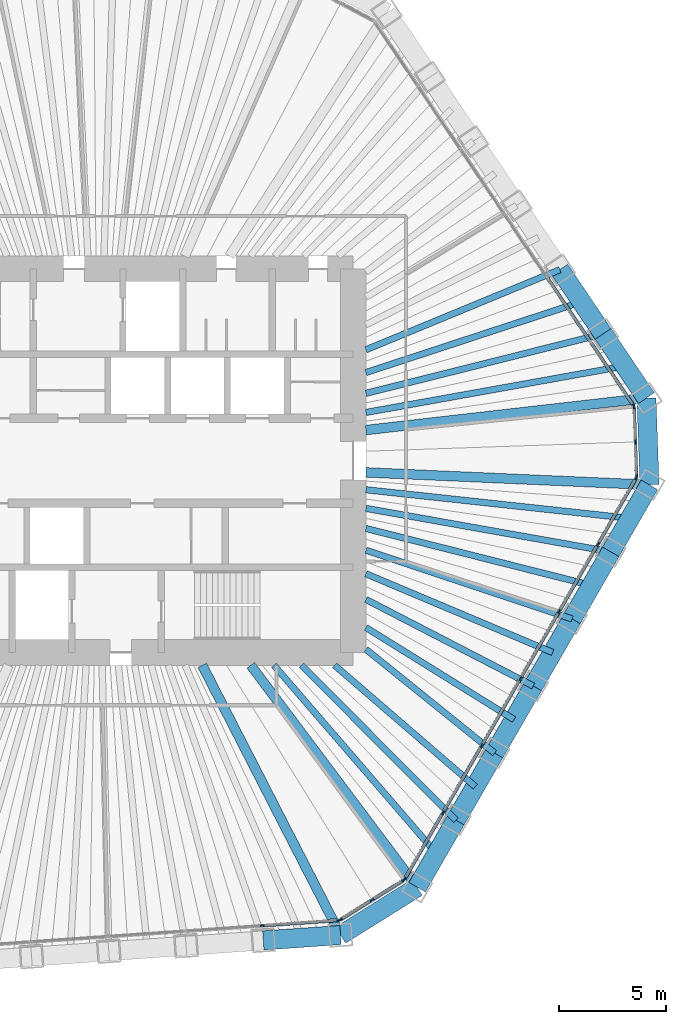
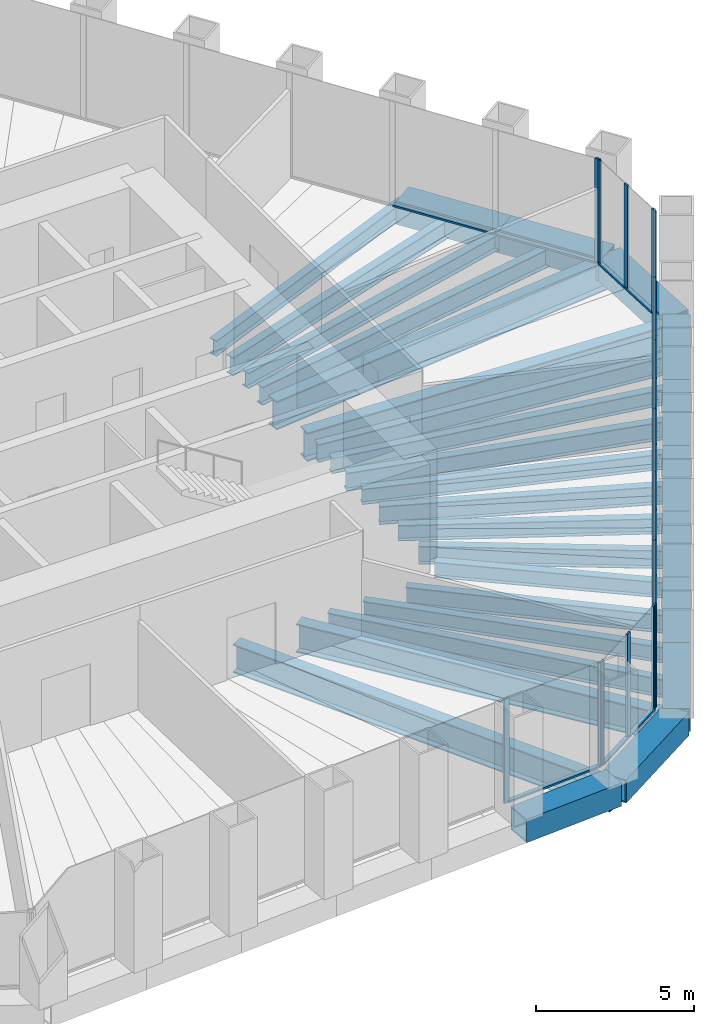
# One storey, part 4 of 14: 30 beams, 29 members, 5 elements without a shape of their own.
"""IFC4 building model written with IfcOpenShell, lengths in metres."""

from ifc_helpers import new_model, si_unit, direction, frame, origin, origin_2d, place, context, subcontext, project, spatial, rectangle, hollow_rectangle, i_section, extrude, material, material_profile, profile_set, type_object, element, aggregate, save


model = new_model("IFC4")

# Units and contexts
model_context = context("Model", 3, precision=1e-05, world=origin(), true_north=direction((0.0, 1.0)))
body_context = subcontext(model_context, "Body", "Model", "MODEL_VIEW")
ifc_project = project(units=[si_unit("LENGTHUNIT", "METRE"), si_unit("AREAUNIT", "SQUARE_METRE"), si_unit("VOLUMEUNIT", "CUBIC_METRE"), si_unit("PLANEANGLEUNIT", "RADIAN"), si_unit("MASSUNIT", "GRAM", prefix="KILO")], contexts=[model_context])

# Site, building, storey
site_placement = place(None, origin())
site = spatial("IfcSite", under=ifc_project, at=site_placement, CompositionType="ELEMENT")
building_placement = place(site_placement, origin())
building = spatial("IfcBuilding", under=site, at=building_placement, Name="Qingtian Harvest Tower", CompositionType="ELEMENT")
storey_placement = place(building_placement, frame((0.0, 0.0, 201.39990234375)))
storey = spatial("IfcBuildingStorey", under=building, at=storey_placement, Name="L43", CompositionType="ELEMENT", Elevation=201.39990234375)

# Beams
ifc_material_1 = material(Name="Steel SM570MC", Category="steel")
ifc_material_profile_1 = material_profile(ifc_material_1, i_section(OverallWidth=0.449951171875, OverallDepth=1.10009765625, WebThickness=0.02197265625, FlangeThickness=0.044921875, at=origin_2d()), Name="H1100x450x22x45")
ifc_profile_set_1 = profile_set([ifc_material_profile_1], Name="Steel SM570MC")
beam_type_1 = type_object("IfcBeamType", Name="Corner floor beam FB8 H1100x450x22x45", PredefinedType="BEAM", material=ifc_profile_set_1)
beam_1_placement = place(storey_placement, frame((25.762451171875, 2.936279296875, -0.719970703125), z_axis=(-0.993566901619, -0.113246686522, 0.0), x_axis=(0.113246686522, -0.993566901619, 0.0)))
element("IfcBeam", 1, at=beam_1_placement, inside=storey, type_object=beam_type_1, Name="Floor beam FB8 NE6", PredefinedType="BEAM", context=body_context, shape_type="SweptSolid", body=[
    extrude(i_section(OverallWidth=0.449951171875, OverallDepth=1.10009765625, WebThickness=0.02197265625, FlangeThickness=0.044921875, at=origin_2d()), origin(), (0.0, 0.0, 1.0), 13.24755859375),
])
beam_2_placement = place(storey_placement, frame((25.904541015625, -1.1318359375, -0.719970703125), z_axis=(-0.999046865424, 0.043650437408, 0.0), x_axis=(-0.043650437408, -0.999046865424, 0.0)))
element("IfcBeam", 2, at=beam_2_placement, inside=storey, type_object=beam_type_1, Name="Floor beam FB8 SE0", PredefinedType="BEAM", context=body_context, shape_type="SweptSolid", body=[
    extrude(i_section(OverallWidth=0.449951171875, OverallDepth=1.10009765625, WebThickness=0.02197265625, FlangeThickness=0.044921875, at=origin_2d()), origin(), (0.0, 0.0, 1.0), 13.317138671875),
])
beam_3_placement = place(storey_placement, frame((15.00390625, -20.012451171875, -0.719970703125), z_axis=(-0.599858913609, 0.800105795357, 0.0), x_axis=(-0.800105795357, -0.599858913609, 0.0)))
element("IfcBeam", 3, at=beam_3_placement, inside=storey, type_object=beam_type_1, Name="Floor beam FB8 SE6", PredefinedType="BEAM", context=body_context, shape_type="SweptSolid", body=[
    extrude(i_section(OverallWidth=0.449951171875, OverallDepth=1.10009765625, WebThickness=0.02197265625, FlangeThickness=0.044921875, at=origin_2d()), origin(), (0.0, 0.0, 1.0), 13.013671875),
])
beam_4_placement = place(storey_placement, frame((11.40966796875, -22.25830078125, -0.719970703125), z_axis=(-0.456157396608, 0.889899111989, 0.0), x_axis=(-0.889899111989, -0.456157396608, 0.0)))
element("IfcBeam", 4, at=beam_4_placement, inside=storey, type_object=beam_type_1, Name="Floor beam FB8 S0", PredefinedType="BEAM", context=body_context, shape_type="SweptSolid", body=[
    extrude(i_section(OverallWidth=0.449951171875, OverallDepth=1.10009765625, WebThickness=0.02197265625, FlangeThickness=0.044921875, at=origin_2d()), origin(), (0.0, 0.0, 1.0), 14.224365234375),
])
ifc_material_2 = material(Name="Steel SN490B", Category="steel")
ifc_material_profile_2 = material_profile(ifc_material_2, i_section(OverallWidth=0.300048828125, OverallDepth=0.60009765625, WebThickness=0.011962890625, FlangeThickness=0.02001953125, at=origin_2d()), Name="H600x300x12x20")
ifc_profile_set_2 = profile_set([ifc_material_profile_2], Name="Steel SN490B")
beam_type_2 = type_object("IfcBeamType", Name="Floor beam FB3 H600x300x12x20", PredefinedType="BEAM", material=ifc_profile_set_2)
beam_5_placement = place(storey_placement, frame((21.69873046875, 8.9609375, -0.469970703125), z_axis=(-0.924281590361, -0.381711332973, 0.0), x_axis=(0.381711332973, -0.924281590361, 0.0)))
element("IfcBeam", 5, at=beam_5_placement, inside=storey, type_object=beam_type_2, Name="Floor beam FB3 NE4", PredefinedType="BEAM", context=body_context, shape_type="SweptSolid", body=[
    extrude(i_section(OverallWidth=0.300048828125, OverallDepth=0.60009765625, WebThickness=0.011962890625, FlangeThickness=0.02001953125, at=origin_2d()), origin(), (0.0, 0.0, 1.0), 9.843994140625),
])
beam_6_placement = place(storey_placement, frame((23.730712890625, 5.948486328125, -0.469970703125), z_axis=(-0.969990876487, -0.243141315972, 0.0), x_axis=(0.243141315972, -0.969990876487, 0.0)))
element("IfcBeam", 6, at=beam_6_placement, inside=storey, type_object=beam_type_2, Name="Floor beam FB3 NE5", PredefinedType="BEAM", context=body_context, shape_type="SweptSolid", body=[
    extrude(i_section(OverallWidth=0.300048828125, OverallDepth=0.60009765625, WebThickness=0.011962890625, FlangeThickness=0.02001953125, at=origin_2d()), origin(), (0.0, 0.0, 1.0), 11.474853515625),
])
beam_7_placement = place(storey_placement, frame((24.087890625, -4.27880859375, -0.469970703125), z_axis=(-0.98458469654, 0.174908477034, 0.0), x_axis=(-0.174908477034, -0.98458469654, 0.0)))
element("IfcBeam", 7, at=beam_7_placement, inside=storey, type_object=beam_type_2, Name="Floor beam FB3 SE1", PredefinedType="BEAM", context=body_context, shape_type="SweptSolid", body=[
    extrude(i_section(OverallWidth=0.300048828125, OverallDepth=0.60009765625, WebThickness=0.011962890625, FlangeThickness=0.02001953125, at=origin_2d()), origin(), (0.0, 0.0, 1.0), 11.667724609375),
])
beam_8_placement = place(storey_placement, frame((22.27099609375, -7.425537109375, -0.469970703125), z_axis=(-0.948654555734, 0.316313979908, 0.0), x_axis=(-0.316313979908, -0.948654555734, 0.0)))
element("IfcBeam", 8, at=beam_8_placement, inside=storey, type_object=beam_type_2, Name="Floor beam FB3 SE2", PredefinedType="BEAM", context=body_context, shape_type="SweptSolid", body=[
    extrude(i_section(OverallWidth=0.300048828125, OverallDepth=0.60009765625, WebThickness=0.011962890625, FlangeThickness=0.02001953125, at=origin_2d()), origin(), (0.0, 0.0, 1.0), 10.1943359375),
])
beam_9_placement = place(storey_placement, frame((20.454345703125, -10.572265625, -0.469970703125), z_axis=(-0.888343501027, 0.459179511938, 0.0), x_axis=(-0.459179511938, -0.888343501027, 0.0)))
element("IfcBeam", 9, at=beam_9_placement, inside=storey, type_object=beam_type_2, Name="Floor beam FB3 SE3", PredefinedType="BEAM", context=body_context, shape_type="SweptSolid", body=[
    extrude(i_section(OverallWidth=0.300048828125, OverallDepth=0.60009765625, WebThickness=0.011962890625, FlangeThickness=0.02001953125, at=origin_2d()), origin(), (0.0, 0.0, 1.0), 8.841552734375),
])
beam_10_placement = place(storey_placement, frame((18.637451171875, -13.718994140625, -0.469970703125), z_axis=(-0.77840907003, 0.62775737327, 0.0), x_axis=(-0.62775737327, -0.77840907003, 0.0)))
element("IfcBeam", 10, at=beam_10_placement, inside=storey, type_object=beam_type_2, Name="Floor beam FB3 SE4", PredefinedType="BEAM", context=body_context, shape_type="SweptSolid", body=[
    extrude(i_section(OverallWidth=0.300048828125, OverallDepth=0.60009765625, WebThickness=0.011962890625, FlangeThickness=0.02001953125, at=origin_2d()), origin(), (0.0, 0.0, 1.0), 7.756103515625),
])
beam_11_placement = place(storey_placement, frame((16.82080078125, -16.86572265625, -0.469970703125), z_axis=(-0.70616637797, 0.708045935392, 0.0), x_axis=(-0.708045935392, -0.70616637797, 0.0)))
element("IfcBeam", 11, at=beam_11_placement, inside=storey, type_object=beam_type_2, Name="Floor beam FB3 SE5", PredefinedType="BEAM", context=body_context, shape_type="SweptSolid", body=[
    extrude(i_section(OverallWidth=0.300048828125, OverallDepth=0.60009765625, WebThickness=0.011962890625, FlangeThickness=0.02001953125, at=origin_2d()), origin(), (0.0, 0.0, 1.0), 10.261474609375),
])
ifc_material_3 = material(Name="Steel SN490B", Category="steel")
ifc_material_profile_3 = material_profile(ifc_material_3, i_section(OverallWidth=0.300048828125, OverallDepth=0.699951171875, WebThickness=0.012939453125, FlangeThickness=0.02392578125, at=origin_2d()), Name="H700x300x13x24")
ifc_profile_set_3 = profile_set([ifc_material_profile_3], Name="Steel SN490B")
beam_type_3 = type_object("IfcBeamType", Name="Floor joist J2 H700x300x13x24", PredefinedType="JOIST", material=ifc_profile_set_3)
beam_12_placement = place(storey_placement, frame((22.71484375, 7.454833984375, -0.52001953125), z_axis=(-0.950138567513, -0.311828001508, 0.0), x_axis=(0.311828001508, -0.950138567513, 0.0)))
element("IfcBeam", 12, at=beam_12_placement, inside=storey, type_object=beam_type_3, Name="Floor joist J2 NE4", PredefinedType="JOIST", context=body_context, shape_type="SweptSolid", body=[
    extrude(i_section(OverallWidth=0.300048828125, OverallDepth=0.699951171875, WebThickness=0.012939453125, FlangeThickness=0.02392578125, at=origin_2d()), origin(), (0.0, 0.0, 1.0), 10.6455078125),
])
beam_13_placement = place(storey_placement, frame((24.74658203125, 4.4423828125, -0.52001953125), z_axis=(-0.98426723745, -0.176686177393, 0.0), x_axis=(0.176686177393, -0.98426723745, 0.0)))
element("IfcBeam", 13, at=beam_13_placement, inside=storey, type_object=beam_type_3, Name="Floor joist J2 NE5", PredefinedType="JOIST", context=body_context, shape_type="SweptSolid", body=[
    extrude(i_section(OverallWidth=0.300048828125, OverallDepth=0.699951171875, WebThickness=0.012939453125, FlangeThickness=0.02392578125, at=origin_2d()), origin(), (0.0, 0.0, 1.0), 12.340576171875),
])
beam_14_placement = place(storey_placement, frame((24.99609375, -2.705322265625, -0.52001953125), z_axis=(-0.994194656298, 0.107596400448, 0.0), x_axis=(-0.107596400448, -0.994194656298, 0.0)))
element("IfcBeam", 14, at=beam_14_placement, inside=storey, type_object=beam_type_3, Name="Floor joist J2 SE0", PredefinedType="JOIST", context=body_context, shape_type="SweptSolid", body=[
    extrude(i_section(OverallWidth=0.300048828125, OverallDepth=0.699951171875, WebThickness=0.012939453125, FlangeThickness=0.02392578125, at=origin_2d()), origin(), (0.0, 0.0, 1.0), 12.46826171875),
])
beam_15_placement = place(storey_placement, frame((23.179443359375, -5.85205078125, -0.52001953125), z_axis=(-0.969577887027, 0.244783007963, 0.0), x_axis=(-0.244783007963, -0.969577887027, 0.0)))
element("IfcBeam", 15, at=beam_15_placement, inside=storey, type_object=beam_type_3, Name="Floor joist J2 SE1", PredefinedType="JOIST", context=body_context, shape_type="SweptSolid", body=[
    extrude(i_section(OverallWidth=0.300048828125, OverallDepth=0.699951171875, WebThickness=0.012939453125, FlangeThickness=0.02392578125, at=origin_2d()), origin(), (0.0, 0.0, 1.0), 10.911376953125),
])
beam_16_placement = place(storey_placement, frame((21.362548828125, -8.998779296875, -0.52001953125), z_axis=(-0.921571079516, 0.388209666803, 0.0), x_axis=(-0.388209666803, -0.921571079516, 0.0)))
element("IfcBeam", 16, at=beam_16_placement, inside=storey, type_object=beam_type_3, Name="Floor joist J2 SE2", PredefinedType="JOIST", context=body_context, shape_type="SweptSolid", body=[
    extrude(i_section(OverallWidth=0.300048828125, OverallDepth=0.699951171875, WebThickness=0.012939453125, FlangeThickness=0.02392578125, at=origin_2d()), origin(), (0.0, 0.0, 1.0), 9.508056640625),
])
beam_17_placement = place(storey_placement, frame((19.5458984375, -12.1455078125, -0.52001953125), z_axis=(-0.849380822906, 0.527780463526, 0.0), x_axis=(-0.527780463526, -0.849380822906, 0.0)))
element("IfcBeam", 17, at=beam_17_placement, inside=storey, type_object=beam_type_3, Name="Floor joist J2 SE3", PredefinedType="JOIST", context=body_context, shape_type="SweptSolid", body=[
    extrude(i_section(OverallWidth=0.300048828125, OverallDepth=0.699951171875, WebThickness=0.012939453125, FlangeThickness=0.02392578125, at=origin_2d()), origin(), (0.0, 0.0, 1.0), 8.177490234375),
])
beam_18_placement = place(storey_placement, frame((17.72900390625, -15.292236328125, -0.52001953125), z_axis=(-0.757237954988, 0.653139096613, 0.0), x_axis=(-0.653139096613, -0.757237954988, 0.0)))
element("IfcBeam", 18, at=beam_18_placement, inside=storey, type_object=beam_type_3, Name="Floor joist J2 SE4", PredefinedType="JOIST", context=body_context, shape_type="SweptSolid", body=[
    extrude(i_section(OverallWidth=0.300048828125, OverallDepth=0.699951171875, WebThickness=0.012939453125, FlangeThickness=0.02392578125, at=origin_2d()), origin(), (0.0, 0.0, 1.0), 8.715087890625),
])
beam_19_placement = place(storey_placement, frame((15.912353515625, -18.43896484375, -0.52001953125), z_axis=(-0.653343257086, 0.757061812813, 0.0), x_axis=(-0.757061812813, -0.653343257086, 0.0)))
element("IfcBeam", 19, at=beam_19_placement, inside=storey, type_object=beam_type_3, Name="Floor joist J2 SE5", PredefinedType="JOIST", context=body_context, shape_type="SweptSolid", body=[
    extrude(i_section(OverallWidth=0.300048828125, OverallDepth=0.699951171875, WebThickness=0.012939453125, FlangeThickness=0.02392578125, at=origin_2d()), origin(), (0.0, 0.0, 1.0), 11.67529296875),
])

# Curtain wall, member
ifc_material_4 = material(Name="Bronze-anodised aluminium curtain wall", Category="aluminium")
curtain_wall_type = type_object("IfcCurtainWallType", Name="Curtain wall CW4 office", PredefinedType="USERDEFINED", material=ifc_material_4)
curtain_wall_1_placement = place(storey_placement, origin())
curtain_wall_1 = element("IfcCurtainWall", 20, at=curtain_wall_1_placement, inside=storey, type_object=curtain_wall_type, Name="Curtain wall CW4 L43 NE0-5", ObjectType="RECESSED CURTAIN WALL", PredefinedType="USERDEFINED")
ifc_material_5 = material(Name="Bronze-anodised aluminium mullion", Category="aluminium")
ifc_material_profile_4 = material_profile(ifc_material_5, rectangle(XDim=0.06494140625, YDim=0.199951171875, at=origin_2d()), Name="AL 65x200")
ifc_profile_set_4 = profile_set([ifc_material_profile_4], Name="Bronze-anodised aluminium mullion")
member_type_1 = type_object("IfcMemberType", Name="Mullion CWM 65x200", PredefinedType="MULLION", material=ifc_profile_set_4)
member_1_placement = place(storey_placement, frame((25.1640625, 2.57177734375, 0.0), z_axis=(0.0, 0.0, 1.0), x_axis=(0.829037572555, 0.559192903471, 0.0)))
member_1 = element("IfcMember", 21, at=member_1_placement, type_object=member_type_1, Name="CW4 mullion 7", PredefinedType="MULLION", context=body_context, shape_type="SweptSolid", body=[
    extrude(rectangle(XDim=0.06494140625, YDim=0.199951171875, at=origin_2d()), origin(), (0.0, 0.0, 1.0), 4.030029296875),
])

# Curtain wall, members
curtain_wall_2_placement = place(storey_placement, origin())
curtain_wall_2 = element("IfcCurtainWall", 22, at=curtain_wall_2_placement, inside=storey, type_object=curtain_wall_type, Name="Curtain wall CW4 L43 NEC", ObjectType="RECESSED CURTAIN WALL", PredefinedType="USERDEFINED")
member_2_placement = place(storey_placement, frame((25.183349609375, 2.51220703125, 0.0), z_axis=(0.0, 0.0, 1.0), x_axis=(0.999390827019, 0.034899496703, 0.0)))
member_2 = element("IfcMember", 23, at=member_2_placement, type_object=member_type_1, Name="CW4 mullion 1", PredefinedType="MULLION", context=body_context, shape_type="SweptSolid", body=[
    extrude(rectangle(XDim=0.06494140625, YDim=0.199951171875, at=origin_2d()), origin(), (0.0, 0.0, 1.0), 4.030029296875),
])
member_3_placement = place(storey_placement, frame((25.240234375, 0.88134765625, 0.0), z_axis=(0.0, 0.0, 1.0), x_axis=(0.999390827019, 0.034899496703, 0.0)))
member_3 = element("IfcMember", 24, at=member_3_placement, type_object=member_type_1, Name="CW4 mullion 2", PredefinedType="MULLION", context=body_context, shape_type="SweptSolid", body=[
    extrude(rectangle(XDim=0.06494140625, YDim=0.199951171875, at=origin_2d()), origin(), (0.0, 0.0, 1.0), 4.030029296875),
])
member_4_placement = place(storey_placement, frame((25.297119140625, -0.74951171875, 0.0), z_axis=(0.0, 0.0, 1.0), x_axis=(0.999390827019, 0.034899496703, 0.0)))
member_4 = element("IfcMember", 25, at=member_4_placement, type_object=member_type_1, Name="CW4 mullion 3", PredefinedType="MULLION", context=body_context, shape_type="SweptSolid", body=[
    extrude(rectangle(XDim=0.06494140625, YDim=0.199951171875, at=origin_2d()), origin(), (0.0, 0.0, 1.0), 4.030029296875),
])

curtain_wall_3_placement = place(storey_placement, origin())
curtain_wall_3 = element("IfcCurtainWall", 26, at=curtain_wall_3_placement, inside=storey, type_object=curtain_wall_type, Name="Curtain wall CW4 L43 SE0-5", ObjectType="RECESSED CURTAIN WALL", PredefinedType="USERDEFINED")
member_5_placement = place(storey_placement, frame((25.2822265625, -0.81005859375, 0.0), z_axis=(0.0, 0.0, 1.0), x_axis=(0.866025403784, -0.5, 0.0)))
member_5 = element("IfcMember", 27, at=member_5_placement, type_object=member_type_1, Name="CW4 mullion 1", PredefinedType="MULLION", context=body_context, shape_type="SweptSolid", body=[
    extrude(rectangle(XDim=0.06494140625, YDim=0.199951171875, at=origin_2d()), origin(), (0.0, 0.0, 1.0), 4.030029296875),
])
member_6_placement = place(storey_placement, frame((23.481689453125, -3.9287109375, 0.0), z_axis=(0.0, 0.0, 1.0), x_axis=(0.866025403784, -0.5, 0.0)))
member_6 = element("IfcMember", 28, at=member_6_placement, type_object=member_type_1, Name="CW4 mullion 2", PredefinedType="MULLION", context=body_context, shape_type="SweptSolid", body=[
    extrude(rectangle(XDim=0.06494140625, YDim=0.199951171875, at=origin_2d()), origin(), (0.0, 0.0, 1.0), 4.030029296875),
])
member_7_placement = place(storey_placement, frame((21.664794921875, -7.075439453125, 0.0), z_axis=(0.0, 0.0, 1.0), x_axis=(0.866025403784, -0.5, 0.0)))
member_7 = element("IfcMember", 29, at=member_7_placement, type_object=member_type_1, Name="CW4 mullion 3", PredefinedType="MULLION", context=body_context, shape_type="SweptSolid", body=[
    extrude(rectangle(XDim=0.06494140625, YDim=0.199951171875, at=origin_2d()), origin(), (0.0, 0.0, 1.0), 4.030029296875),
])
member_8_placement = place(storey_placement, frame((19.84814453125, -10.22216796875, 0.0), z_axis=(0.0, 0.0, 1.0), x_axis=(0.866025403784, -0.5, 0.0)))
member_8 = element("IfcMember", 30, at=member_8_placement, type_object=member_type_1, Name="CW4 mullion 4", PredefinedType="MULLION", context=body_context, shape_type="SweptSolid", body=[
    extrude(rectangle(XDim=0.06494140625, YDim=0.199951171875, at=origin_2d()), origin(), (0.0, 0.0, 1.0), 4.030029296875),
])
member_9_placement = place(storey_placement, frame((18.03125, -13.368896484375, 0.0), z_axis=(0.0, 0.0, 1.0), x_axis=(0.866025403784, -0.5, 0.0)))
member_9 = element("IfcMember", 31, at=member_9_placement, type_object=member_type_1, Name="CW4 mullion 5", PredefinedType="MULLION", context=body_context, shape_type="SweptSolid", body=[
    extrude(rectangle(XDim=0.06494140625, YDim=0.199951171875, at=origin_2d()), origin(), (0.0, 0.0, 1.0), 4.030029296875),
])
member_10_placement = place(storey_placement, frame((16.214599609375, -16.515625, 0.0), z_axis=(0.0, 0.0, 1.0), x_axis=(0.866025403784, -0.5, 0.0)))
member_10 = element("IfcMember", 32, at=member_10_placement, type_object=member_type_1, Name="CW4 mullion 6", PredefinedType="MULLION", context=body_context, shape_type="SweptSolid", body=[
    extrude(rectangle(XDim=0.06494140625, YDim=0.199951171875, at=origin_2d()), origin(), (0.0, 0.0, 1.0), 4.030029296875),
])
member_11_placement = place(storey_placement, frame((14.4140625, -19.63427734375, 0.0), z_axis=(0.0, 0.0, 1.0), x_axis=(0.866025403784, -0.5, 0.0)))
member_11 = element("IfcMember", 33, at=member_11_placement, type_object=member_type_1, Name="CW4 mullion 7", PredefinedType="MULLION", context=body_context, shape_type="SweptSolid", body=[
    extrude(rectangle(XDim=0.06494140625, YDim=0.199951171875, at=origin_2d()), origin(), (0.0, 0.0, 1.0), 4.030029296875),
])

curtain_wall_4_placement = place(storey_placement, origin())
curtain_wall_4 = element("IfcCurtainWall", 34, at=curtain_wall_4_placement, inside=storey, type_object=curtain_wall_type, Name="Curtain wall CW4 L43 SEC", ObjectType="RECESSED CURTAIN WALL", PredefinedType="USERDEFINED")
member_12_placement = place(storey_placement, frame((14.3701171875, -19.6796875, 0.0), z_axis=(0.0, 0.0, 1.0), x_axis=(0.529919264233, -0.848048096156, 0.0)))
member_12 = element("IfcMember", 35, at=member_12_placement, type_object=member_type_1, Name="CW4 mullion 1", PredefinedType="MULLION", context=body_context, shape_type="SweptSolid", body=[
    extrude(rectangle(XDim=0.06494140625, YDim=0.199951171875, at=origin_2d()), origin(), (0.0, 0.0, 1.0), 4.030029296875),
])
member_13_placement = place(storey_placement, frame((12.87939453125, -20.611328125, 0.0), z_axis=(0.0, 0.0, 1.0), x_axis=(0.529919264233, -0.848048096156, 0.0)))
member_13 = element("IfcMember", 36, at=member_13_placement, type_object=member_type_1, Name="CW4 mullion 2", PredefinedType="MULLION", context=body_context, shape_type="SweptSolid", body=[
    extrude(rectangle(XDim=0.06494140625, YDim=0.199951171875, at=origin_2d()), origin(), (0.0, 0.0, 1.0), 4.030029296875),
])
member_14_placement = place(storey_placement, frame((11.388427734375, -21.542724609375, 0.0), z_axis=(0.0, 0.0, 1.0), x_axis=(0.529919264233, -0.848048096156, 0.0)))
member_14 = element("IfcMember", 37, at=member_14_placement, type_object=member_type_1, Name="CW4 mullion 3", PredefinedType="MULLION", context=body_context, shape_type="SweptSolid", body=[
    extrude(rectangle(XDim=0.06494140625, YDim=0.199951171875, at=origin_2d()), origin(), (0.0, 0.0, 1.0), 4.030029296875),
])

curtain_wall_5_placement = place(storey_placement, origin())
curtain_wall_5 = element("IfcCurtainWall", 38, at=curtain_wall_5_placement, inside=storey, type_object=curtain_wall_type, Name="Curtain wall CW4 L43 S0-5", ObjectType="RECESSED CURTAIN WALL", PredefinedType="USERDEFINED")
member_15_placement = place(storey_placement, frame((11.32861328125, -21.562255859375, 0.0), z_axis=(0.0, 0.0, 1.0), x_axis=(0.069756473744, -0.99756405026, 0.0)))
member_15 = element("IfcMember", 39, at=member_15_placement, type_object=member_type_1, Name="CW4 mullion 1", PredefinedType="MULLION", context=body_context, shape_type="SweptSolid", body=[
    extrude(rectangle(XDim=0.06494140625, YDim=0.199951171875, at=origin_2d()), origin(), (0.0, 0.0, 1.0), 4.030029296875),
])
member_16_placement = place(storey_placement, frame((7.736328125, -21.8134765625, 0.0), z_axis=(0.0, 0.0, 1.0), x_axis=(0.069756473744, -0.99756405026, 0.0)))
member_16 = element("IfcMember", 40, at=member_16_placement, type_object=member_type_1, Name="CW4 mullion 2", PredefinedType="MULLION", context=body_context, shape_type="SweptSolid", body=[
    extrude(rectangle(XDim=0.06494140625, YDim=0.199951171875, at=origin_2d()), origin(), (0.0, 0.0, 1.0), 4.030029296875),
])

# Beams
ifc_material_6 = material(Name="Steel SM570MC", Category="steel")
ifc_material_profile_5 = material_profile(ifc_material_6, hollow_rectangle(XDim=0.89990234375, YDim=0.89990234375, WallThickness=0.050048828125, at=origin_2d()), Name="BOX900x900x50")
ifc_profile_set_5 = profile_set([ifc_material_profile_5], Name="Steel SM570MC")
beam_type_4 = type_object("IfcBeamType", Name="Transition spandrel SB6 BOX900x900x50", PredefinedType="SPANDREL", material=ifc_profile_set_5)
beam_20_placement = place(storey_placement, frame((21.69873046875, 8.9609375, -0.449951171875), z_axis=(0.55920395902, -0.829030115385, 0.0), x_axis=(0.829030115385, 0.55920395902, 0.0)))
element("IfcBeam", 41, at=beam_20_placement, inside=storey, type_object=beam_type_4, Name="Spandrel SB6 NE4", PredefinedType="SPANDREL", context=body_context, shape_type="SweptSolid", body=[
    extrude(hollow_rectangle(XDim=0.89990234375, YDim=0.89990234375, WallThickness=0.050048828125, at=origin_2d()), origin(), (0.0, 0.0, 1.0), 3.6337890625),
])
beam_21_placement = place(storey_placement, frame((23.730712890625, 5.948486328125, -0.449951171875), z_axis=(0.559188928021, -0.829040254016, 0.0), x_axis=(0.829040254016, 0.559188928021, 0.0)))
element("IfcBeam", 42, at=beam_21_placement, inside=storey, type_object=beam_type_4, Name="Spandrel SB6 NE5", PredefinedType="SPANDREL", context=body_context, shape_type="SweptSolid", body=[
    extrude(hollow_rectangle(XDim=0.89990234375, YDim=0.89990234375, WallThickness=0.050048828125, at=origin_2d()), origin(), (0.0, 0.0, 1.0), 3.63330078125),
])
beam_22_placement = place(storey_placement, frame((25.762451171875, 2.936279296875, -0.449951171875), z_axis=(0.03490639867, -0.999390585973, 0.0), x_axis=(0.999390585973, 0.03490639867, 0.0)))
element("IfcBeam", 43, at=beam_22_placement, inside=storey, type_object=beam_type_4, Name="Spandrel SB6 NEC", PredefinedType="SPANDREL", context=body_context, shape_type="SweptSolid", body=[
    extrude(hollow_rectangle(XDim=0.89990234375, YDim=0.89990234375, WallThickness=0.050048828125, at=origin_2d()), origin(), (0.0, 0.0, 1.0), 4.070556640625),
])
beam_23_placement = place(storey_placement, frame((25.904541015625, -1.1318359375, -0.449951171875), z_axis=(-0.499947341849, -0.866055803848, 0.0), x_axis=(0.866055803848, -0.499947341849, 0.0)))
element("IfcBeam", 44, at=beam_23_placement, inside=storey, type_object=beam_type_4, Name="Spandrel SB6 SE0", PredefinedType="SPANDREL", context=body_context, shape_type="SweptSolid", body=[
    extrude(hollow_rectangle(XDim=0.89990234375, YDim=0.89990234375, WallThickness=0.050048828125, at=origin_2d()), origin(), (0.0, 0.0, 1.0), 3.6337890625),
])
for number, where, z_axis, x_axis, name in (
    (45, (24.087890625, -4.27880859375, -0.449951171875), (-0.500026827678, -0.866009914263, 0.0), (0.866009914263, -0.500026827678, 0.0), "Spandrel SB6 SE1"),
    (46, (22.27099609375, -7.425537109375, -0.449951171875), (-0.499976434558, -0.866039008871, 0.0), (0.866039008871, -0.499976434558, 0.0), "Spandrel SB6 SE2"),
    (47, (20.454345703125, -10.572265625, -0.449951171875), (-0.500026827678, -0.866009914263, 0.0), (0.866009914263, -0.500026827678, 0.0), "Spandrel SB6 SE3"),
    (48, (18.637451171875, -13.718994140625, -0.449951171875), (-0.499976434558, -0.866039008871, 0.0), (0.866039008871, -0.499976434558, 0.0), "Spandrel SB6 SE4"),
    (49, (16.82080078125, -16.86572265625, -0.449951171875), (-0.500026827678, -0.866009914263, 0.0), (0.866009914263, -0.500026827678, 0.0), "Spandrel SB6 SE5"),
):
    element("IfcBeam", number, at=place(storey_placement, frame(where, z_axis=z_axis, x_axis=x_axis)), inside=storey, type_object=beam_type_4, Name=name, PredefinedType="SPANDREL", context=body_context, shape_type="SweptSolid", body=[
        extrude(hollow_rectangle(XDim=0.89990234375, YDim=0.89990234375, WallThickness=0.050048828125, at=origin_2d()), origin(), (0.0, 0.0, 1.0), 3.633544921875),
    ])
beam_24_placement = place(storey_placement, frame((15.00390625, -20.012451171875, -0.449951171875), z_axis=(-0.848056550838, -0.529905733675, 0.0), x_axis=(0.529905733675, -0.848056550838, 0.0)))
element("IfcBeam", 50, at=beam_24_placement, inside=storey, type_object=beam_type_4, Name="Spandrel SB6 SEC", PredefinedType="SPANDREL", context=body_context, shape_type="SweptSolid", body=[
    extrude(hollow_rectangle(XDim=0.89990234375, YDim=0.89990234375, WallThickness=0.050048828125, at=origin_2d()), origin(), (0.0, 0.0, 1.0), 4.23828125),
])
beam_25_placement = place(storey_placement, frame((11.40966796875, -22.25830078125, -0.449951171875), z_axis=(-0.997564674207, -0.069747550305, 0.0), x_axis=(0.069747550305, -0.997564674207, 0.0)))
element("IfcBeam", 51, at=beam_25_placement, inside=storey, type_object=beam_type_4, Name="Spandrel SB6 S0", PredefinedType="SPANDREL", context=body_context, shape_type="SweptSolid", body=[
    extrude(hollow_rectangle(XDim=0.89990234375, YDim=0.89990234375, WallThickness=0.050048828125, at=origin_2d()), origin(), (0.0, 0.0, 1.0), 3.63330078125),
])

# Member
ifc_material_7 = material(Name="Bronze-anodised aluminium transom", Category="aluminium")
ifc_material_profile_6 = material_profile(ifc_material_7, rectangle(XDim=0.14990234375, YDim=0.06494140625, at=origin_2d()), Name="AL 65x150")
ifc_profile_set_6 = profile_set([ifc_material_profile_6], Name="Bronze-anodised aluminium transom")
member_type_2 = type_object("IfcMemberType", Name="Transom CWT 65x150", PredefinedType="USERDEFINED", material=ifc_profile_set_6)
member_17_placement = place(storey_placement, frame((21.13671875, 8.54248046875, 0.03271484375), z_axis=(0.559160259871, -0.829059590006, 0.0), x_axis=(0.829059590006, 0.559160259871, 0.0)))
member_17 = element("IfcMember", 52, at=member_17_placement, type_object=member_type_2, Name="CW4 transom 5.1", ObjectType="TRANSOM", PredefinedType="USERDEFINED", context=body_context, shape_type="SweptSolid", body=[
    extrude(rectangle(XDim=0.14990234375, YDim=0.06494140625, at=origin_2d()), origin(), (0.0, 0.0, 1.0), 3.568603515625),
])

member_18_placement = place(storey_placement, frame((23.16845703125, 5.5302734375, 0.03271484375), z_axis=(0.559169259008, -0.829053520456, 0.0), x_axis=(0.829053520456, 0.559169259008, 0.0)))
member_18 = element("IfcMember", 53, at=member_18_placement, type_object=member_type_2, Name="CW4 transom 6.1", ObjectType="TRANSOM", PredefinedType="USERDEFINED", context=body_context, shape_type="SweptSolid", body=[
    extrude(rectangle(XDim=0.14990234375, YDim=0.06494140625, at=origin_2d()), origin(), (0.0, 0.0, 1.0), 3.5361328125),
])

aggregate(curtain_wall_1, [member_1, member_17, member_18])

member_19_placement = place(storey_placement, frame((25.1845703125, 2.479736328125, 0.03271484375), z_axis=(0.034902326647, -0.999390728191, 0.0), x_axis=(0.999390728191, 0.034902326647, 0.0)))
member_19 = element("IfcMember", 54, at=member_19_placement, type_object=member_type_2, Name="CW4 transom 1.1", ObjectType="TRANSOM", PredefinedType="USERDEFINED", context=body_context, shape_type="SweptSolid", body=[
    extrude(rectangle(XDim=0.14990234375, YDim=0.06494140625, at=origin_2d()), origin(), (0.0, 0.0, 1.0), 1.56689453125),
])

member_20_placement = place(storey_placement, frame((25.241455078125, 0.848876953125, 0.03271484375), z_axis=(0.034902326647, -0.999390728191, 0.0), x_axis=(0.999390728191, 0.034902326647, 0.0)))
member_20 = element("IfcMember", 55, at=member_20_placement, type_object=member_type_2, Name="CW4 transom 2.1", ObjectType="TRANSOM", PredefinedType="USERDEFINED", context=body_context, shape_type="SweptSolid", body=[
    extrude(rectangle(XDim=0.14990234375, YDim=0.06494140625, at=origin_2d()), origin(), (0.0, 0.0, 1.0), 1.56689453125),
])

aggregate(curtain_wall_2, [member_2, member_3, member_4, member_19, member_20])

member_21_placement = place(storey_placement, frame((25.265869140625, -0.838134765625, 0.03271484375), z_axis=(-0.499985409597, -0.866033827394, 0.0), x_axis=(0.866033827394, -0.499985409597, 0.0)))
member_21 = element("IfcMember", 56, at=member_21_placement, type_object=member_type_2, Name="CW4 transom 1.1", ObjectType="TRANSOM", PredefinedType="USERDEFINED", context=body_context, shape_type="SweptSolid", body=[
    extrude(rectangle(XDim=0.14990234375, YDim=0.06494140625, at=origin_2d()), origin(), (0.0, 0.0, 1.0), 3.5361328125),
])

member_22_placement = place(storey_placement, frame((23.46533203125, -3.956787109375, 0.03271484375), z_axis=(-0.499965259726, -0.866045460162, 0.0), x_axis=(0.866045460162, -0.499965259726, 0.0)))
member_22 = element("IfcMember", 57, at=member_22_placement, type_object=member_type_2, Name="CW4 transom 2.1", ObjectType="TRANSOM", PredefinedType="USERDEFINED", context=body_context, shape_type="SweptSolid", body=[
    extrude(rectangle(XDim=0.14990234375, YDim=0.06494140625, at=origin_2d()), origin(), (0.0, 0.0, 1.0), 3.568603515625),
])

member_23_placement = place(storey_placement, frame((21.648681640625, -7.103515625, 0.03271484375), z_axis=(-0.500016569533, -0.866015837149, 0.0), x_axis=(0.866015837149, -0.500016569533, 0.0)))
member_23 = element("IfcMember", 58, at=member_23_placement, type_object=member_type_2, Name="CW4 transom 3.1", ObjectType="TRANSOM", PredefinedType="USERDEFINED", context=body_context, shape_type="SweptSolid", body=[
    extrude(rectangle(XDim=0.14990234375, YDim=0.06494140625, at=origin_2d()), origin(), (0.0, 0.0, 1.0), 3.56884765625),
])

member_24_placement = place(storey_placement, frame((19.831787109375, -10.250244140625, 0.03271484375), z_axis=(-0.499965259726, -0.866045460162, 0.0), x_axis=(0.866045460162, -0.499965259726, 0.0)))
member_24 = element("IfcMember", 59, at=member_24_placement, type_object=member_type_2, Name="CW4 transom 4.1", ObjectType="TRANSOM", PredefinedType="USERDEFINED", context=body_context, shape_type="SweptSolid", body=[
    extrude(rectangle(XDim=0.14990234375, YDim=0.06494140625, at=origin_2d()), origin(), (0.0, 0.0, 1.0), 3.568603515625),
])

member_25_placement = place(storey_placement, frame((18.014892578125, -13.39697265625, 0.03271484375), z_axis=(-0.499965259726, -0.866045460162, 0.0), x_axis=(0.866045460162, -0.499965259726, 0.0)))
member_25 = element("IfcMember", 60, at=member_25_placement, type_object=member_type_2, Name="CW4 transom 5.1", ObjectType="TRANSOM", PredefinedType="USERDEFINED", context=body_context, shape_type="SweptSolid", body=[
    extrude(rectangle(XDim=0.14990234375, YDim=0.06494140625, at=origin_2d()), origin(), (0.0, 0.0, 1.0), 3.568603515625),
])

member_26_placement = place(storey_placement, frame((16.1982421875, -16.5439453125, 0.03271484375), z_axis=(-0.500015305566, -0.866016566931, 0.0), x_axis=(0.866016566931, -0.500015305566, 0.0)))
member_26 = element("IfcMember", 61, at=member_26_placement, type_object=member_type_2, Name="CW4 transom 6.1", ObjectType="TRANSOM", PredefinedType="USERDEFINED", context=body_context, shape_type="SweptSolid", body=[
    extrude(rectangle(XDim=0.14990234375, YDim=0.06494140625, at=origin_2d()), origin(), (0.0, 0.0, 1.0), 3.5361328125),
])

aggregate(curtain_wall_3, [member_5, member_6, member_7, member_8, member_9, member_10, member_11, member_21, member_22, member_23, member_24, member_25, member_26])

member_27_placement = place(storey_placement, frame((14.342529296875, -19.69677734375, 0.03271484375), z_axis=(-0.847998304005, -0.529998940003, 0.0), x_axis=(0.529998940003, -0.847998304005, 0.0)))
member_27 = element("IfcMember", 62, at=member_27_placement, type_object=member_type_2, Name="CW4 transom 1.1", ObjectType="TRANSOM", PredefinedType="USERDEFINED", context=body_context, shape_type="SweptSolid", body=[
    extrude(rectangle(XDim=0.14990234375, YDim=0.06494140625, at=origin_2d()), origin(), (0.0, 0.0, 1.0), 1.69287109375),
])

member_28_placement = place(storey_placement, frame((12.851806640625, -20.62841796875, 0.03271484375), z_axis=(-0.84803880708, -0.529934129573, 0.0), x_axis=(0.529934129573, -0.84803880708, 0.0)))
member_28 = element("IfcMember", 63, at=member_28_placement, type_object=member_type_2, Name="CW4 transom 2.1", ObjectType="TRANSOM", PredefinedType="USERDEFINED", context=body_context, shape_type="SweptSolid", body=[
    extrude(rectangle(XDim=0.14990234375, YDim=0.06494140625, at=origin_2d()), origin(), (0.0, 0.0, 1.0), 1.693115234375),
])

aggregate(curtain_wall_4, [member_12, member_13, member_14, member_27, member_28])

member_29_placement = place(storey_placement, frame((11.296142578125, -21.564453125, 0.03271484375), z_axis=(-0.997561034679, -0.069799585166, 0.0), x_axis=(0.069799585166, -0.997561034679, 0.0)))
member_29 = element("IfcMember", 64, at=member_29_placement, type_object=member_type_2, Name="CW4 transom 1.1", ObjectType="TRANSOM", PredefinedType="USERDEFINED", context=body_context, shape_type="SweptSolid", body=[
    extrude(rectangle(XDim=0.14990234375, YDim=0.06494140625, at=origin_2d()), origin(), (0.0, 0.0, 1.0), 3.5361328125),
])

aggregate(curtain_wall_5, [member_15, member_16, member_29])

save(model, "model.ifc")
